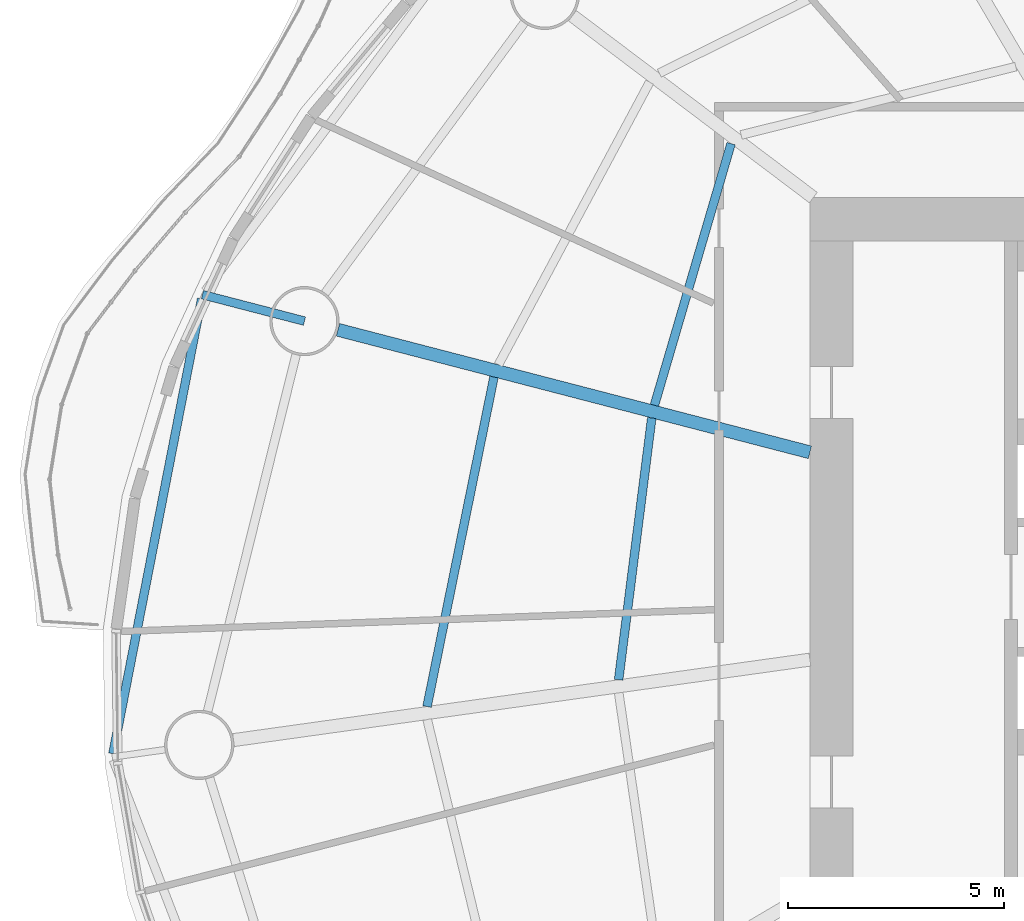
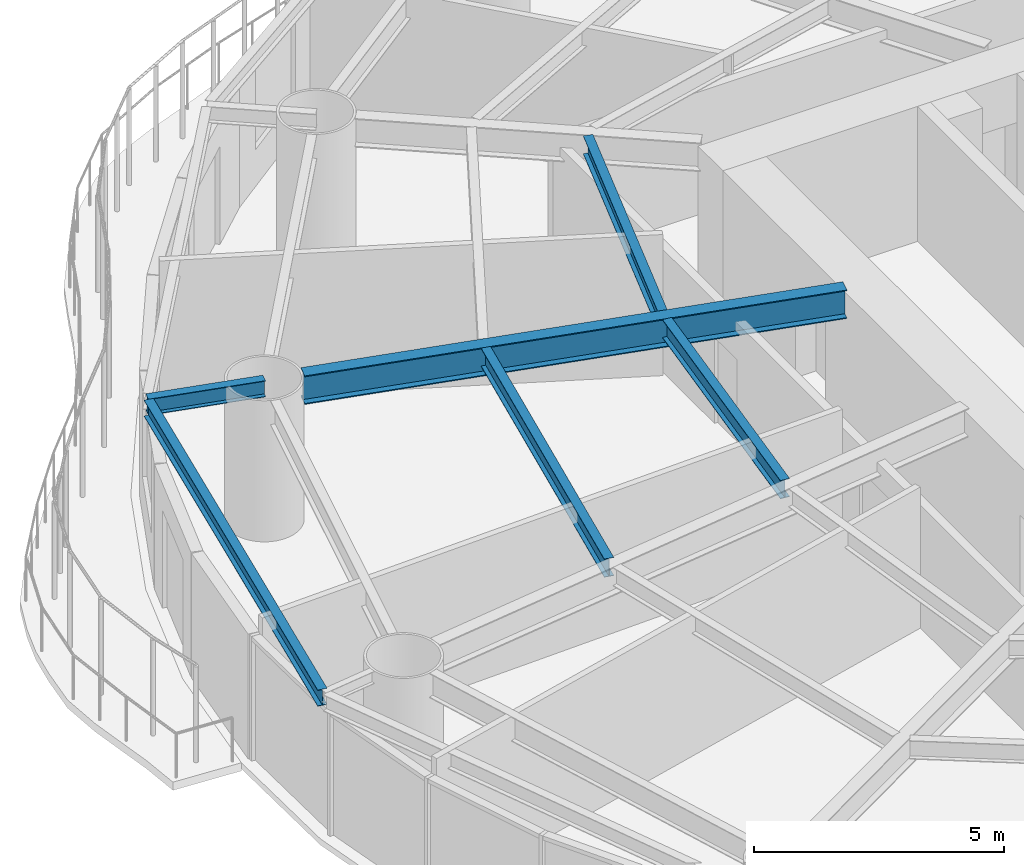
# One storey, part 3 of 17: 6 beams.
"""IFC4 building model written with IfcOpenShell, lengths in metres."""

from ifc_helpers import new_model, si_unit, direction, frame, origin, origin_2d, place, context, subcontext, project, spatial, i_section, extrude, material, material_profile, profile_set, type_object, element, save


model = new_model("IFC4")

# Units and contexts
model_context = context("Model", 3, precision=1e-05, world=origin(), true_north=direction((0.0, 1.0)))
body_context = subcontext(model_context, "Body", "Model", "MODEL_VIEW")
ifc_project = project(units=[si_unit("LENGTHUNIT", "METRE"), si_unit("AREAUNIT", "SQUARE_METRE"), si_unit("VOLUMEUNIT", "CUBIC_METRE"), si_unit("PLANEANGLEUNIT", "RADIAN"), si_unit("MASSUNIT", "GRAM", prefix="KILO")], contexts=[model_context])

# Site, building, storey
site_placement = place(None, origin())
site = spatial("IfcSite", under=ifc_project, at=site_placement, CompositionType="ELEMENT")
building_placement = place(site_placement, origin())
building = spatial("IfcBuilding", under=site, at=building_placement, Name="Vermilion Reach Broadcast Tower", CompositionType="ELEMENT")
storey_placement = place(building_placement, frame((0.0, 0.0, 92.199951171875)))
storey = spatial("IfcBuildingStorey", under=building, at=storey_placement, Name="L20", CompositionType="ELEMENT", Elevation=92.199951171875)

# Beams
ifc_material_1 = material(Name="Steel S355J2", Category="steel")
ifc_material_profile_1 = material_profile(ifc_material_1, i_section(OverallWidth=0.199951171875, OverallDepth=0.39990234375, WebThickness=0.008056640625, FlangeThickness=0.012939453125, at=origin_2d()), Name="S355J2 HN 400x200x8x13")
ifc_profile_set_1 = profile_set([ifc_material_profile_1], Name="Steel S355J2")
beam_type_1 = type_object("IfcBeamType", Name="EB2 HN 400x200x8x13", PredefinedType="BEAM", material=ifc_profile_set_1)
beam_1_placement = place(storey_placement, frame((-32.054443359375, 6.6591796875, 3.25), z_axis=(-0.191434813499, -0.981505329675, 0.0), x_axis=(0.981505329675, -0.191434813499, 0.0)))
element("IfcBeam", 1, at=beam_1_placement, inside=storey, type_object=beam_type_1, Name="Edge beam EB2-07", PredefinedType="BEAM", context=body_context, shape_type="SweptSolid", body=[
    extrude(i_section(OverallWidth=0.199951171875, OverallDepth=0.39990234375, WebThickness=0.008056640625, FlangeThickness=0.012939453125, at=origin_2d()), origin(), (0.0, 0.0, 1.0), 10.706298828125),
])
ifc_material_2 = material(Name="Steel S355J2", Category="steel")
ifc_material_profile_2 = material_profile(ifc_material_2, i_section(OverallWidth=0.300048828125, OverallDepth=0.699951171875, WebThickness=0.012939453125, FlangeThickness=0.02392578125, at=origin_2d()), Name="S355J2 HN 700x300x13x24")
ifc_profile_set_2 = profile_set([ifc_material_profile_2], Name="Steel S355J2")
beam_type_2 = type_object("IfcBeamType", Name="G2 HN 700x300x13x24", PredefinedType="BEAM", material=ifc_profile_set_2)
beam_2_placement = place(storey_placement, frame((-18.0, 3.114501953125, 3.10009765625), z_axis=(-0.967926079816, 0.2512351568, 0.0), x_axis=(-0.2512351568, -0.967926079816, 0.0)))
element("IfcBeam", 2, at=beam_2_placement, inside=storey, type_object=beam_type_2, Name="Girder G2-07", PredefinedType="BEAM", context=body_context, shape_type="SweptSolid", body=[
    extrude(i_section(OverallWidth=0.300048828125, OverallDepth=0.699951171875, WebThickness=0.012939453125, FlangeThickness=0.02392578125, at=origin_2d()), origin(), (0.0, 0.0, 1.0), 11.265625),
])
ifc_material_3 = material(Name="Steel S355J2", Category="steel")
ifc_material_profile_3 = material_profile(ifc_material_3, i_section(OverallWidth=0.199951171875, OverallDepth=0.39990234375, WebThickness=0.008056640625, FlangeThickness=0.012939453125, at=origin_2d()), Name="S355J2 HN 400x200x8x13")
ifc_profile_set_3 = profile_set([ifc_material_profile_3], Name="Steel S355J2")
beam_type_3 = type_object("IfcBeamType", Name="GC2 HN 400x200x8x13", PredefinedType="BEAM", material=ifc_profile_set_3)
beam_3_placement = place(storey_placement, frame((-29.6787109375, 6.145751953125, 3.25), z_axis=(-0.967939131564, 0.251184867354, 0.0), x_axis=(-0.251184867354, -0.967939131564, 0.0)))
element("IfcBeam", 3, at=beam_3_placement, inside=storey, type_object=beam_type_3, Name="Cantilever girder GC2-07", PredefinedType="BEAM", context=body_context, shape_type="SweptSolid", body=[
    extrude(i_section(OverallWidth=0.199951171875, OverallDepth=0.39990234375, WebThickness=0.008056640625, FlangeThickness=0.012939453125, at=origin_2d()), origin(), (0.0, 0.0, 1.0), 2.434814453125),
])
ifc_material_4 = material(Name="Steel S355J2", Category="steel")
ifc_material_profile_4 = material_profile(ifc_material_4, i_section(OverallWidth=0.199951171875, OverallDepth=0.449951171875, WebThickness=0.009033203125, FlangeThickness=0.013916015625, at=origin_2d()), Name="S355J2 HN 450x200x9x14")
ifc_profile_set_4 = profile_set([ifc_material_profile_4], Name="Steel S355J2")
beam_type_4 = type_object("IfcBeamType", Name="SB2 HN 450x200x9x14", PredefinedType="BEAM", material=ifc_profile_set_4)
beam_4_placement = place(storey_placement, frame((-19.821533203125, 10.246337890625, 3.22509765625), z_axis=(-0.281175657723, -0.959656318431, 0.0), x_axis=(0.959656318431, -0.281175657723, 0.0)))
element("IfcBeam", 4, at=beam_4_placement, inside=storey, type_object=beam_type_4, Name="Secondary beam SB2-06-1", PredefinedType="BEAM", context=body_context, shape_type="SweptSolid", body=[
    extrude(i_section(OverallWidth=0.199951171875, OverallDepth=0.449951171875, WebThickness=0.009033203125, FlangeThickness=0.013916015625, at=origin_2d()), origin(), (0.0, 0.0, 1.0), 6.298583984375),
])
beam_5_placement = place(storey_placement, frame((-21.65380859375, 3.907958984375, 3.22509765625), z_axis=(-0.125557241128, -0.992086376885, 0.0), x_axis=(0.992086376885, -0.125557241128, 0.0)))
element("IfcBeam", 5, at=beam_5_placement, inside=storey, type_object=beam_type_4, Name="Secondary beam SB2-07-1", PredefinedType="BEAM", context=body_context, shape_type="SweptSolid", body=[
    extrude(i_section(OverallWidth=0.199951171875, OverallDepth=0.449951171875, WebThickness=0.009033203125, FlangeThickness=0.013916015625, at=origin_2d()), origin(), (0.0, 0.0, 1.0), 6.097900390625),
])
beam_6_placement = place(storey_placement, frame((-25.29931640625, 4.854248046875, 3.22509765625), z_axis=(-0.19906416804, -0.979986457561, 0.0), x_axis=(0.979986457561, -0.19906416804, 0.0)))
element("IfcBeam", 6, at=beam_6_placement, inside=storey, type_object=beam_type_4, Name="Secondary beam SB2-07-2", PredefinedType="BEAM", context=body_context, shape_type="SweptSolid", body=[
    extrude(i_section(OverallWidth=0.199951171875, OverallDepth=0.449951171875, WebThickness=0.009033203125, FlangeThickness=0.013916015625, at=origin_2d()), origin(), (0.0, 0.0, 1.0), 7.76953125),
])

save(model, "model.ifc")
